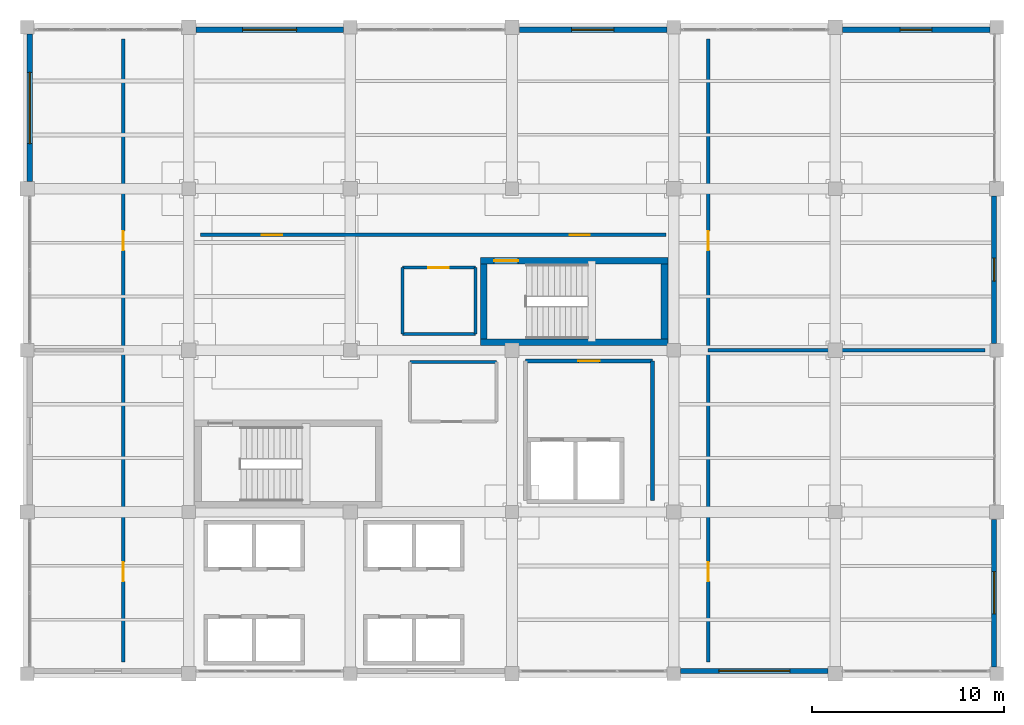
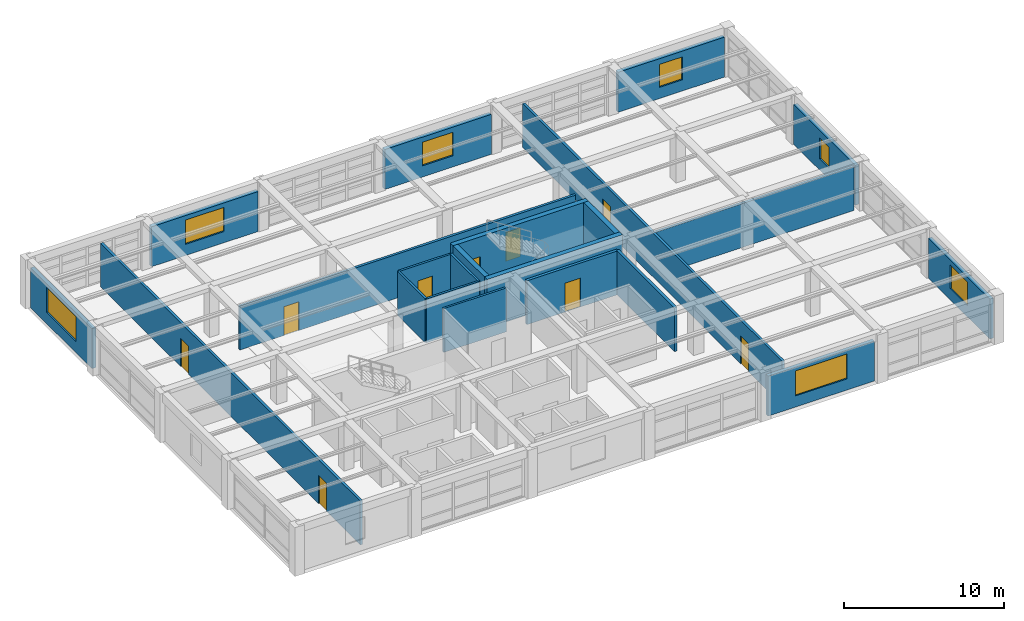
# One storey, part 29 of 31: 22 walls, 9 doors, 7 windows, 16 openings.
"""IFC4 building model written with IfcOpenShell, lengths in metres."""

from ifc_helpers import new_model, si_unit, direction, frame, frame_2d, origin, place, context, subcontext, project, spatial, rectangle, extrude, material, layer, layer_set, type_object, element, fill, save


model = new_model("IFC4")

# Units and contexts
model_context = context("Model", 3, precision=1e-05, world=origin(), true_north=direction((0.0, 1.0)))
body_context = subcontext(model_context, "Body", "Model", "MODEL_VIEW")
ifc_project = project(units=[si_unit("LENGTHUNIT", "METRE"), si_unit("AREAUNIT", "SQUARE_METRE"), si_unit("VOLUMEUNIT", "CUBIC_METRE"), si_unit("PLANEANGLEUNIT", "RADIAN"), si_unit("MASSUNIT", "GRAM", prefix="KILO")], contexts=[model_context])

# Site, building, storey
site_placement = place(None, origin())
site = spatial("IfcSite", under=ifc_project, at=site_placement, CompositionType="ELEMENT")
building_placement = place(site_placement, origin())
building = spatial("IfcBuilding", under=site, at=building_placement, Name="Almacenes y Pasaje Nevantli", CompositionType="ELEMENT")
storey_placement = place(building_placement, frame((0.0, 0.0, 34.699951171875)))
storey = spatial("IfcBuildingStorey", under=building, at=storey_placement, Name="L08", CompositionType="ELEMENT", Elevation=34.699951171875)

# Wall, openings, doors
ifc_material_1 = material(Name="Insulated Double-Gypsum Fire Partition", Category="gypsum")
ifc_layer_1 = layer(ifc_material_1, 0.179931640625)
ifc_layer_set_1 = layer_set([ifc_layer_1], Name="Insulated Double-Gypsum Fire Partition")
wall_type_1 = type_object("IfcWallType", Name="WL-COMP-180", PredefinedType="PARTITIONING", material=ifc_layer_set_1)
wall_1_placement = place(storey_placement, frame((114.199951171875, 67.800048828125, 0.0), z_axis=(0.0, 0.0, 1.0), x_axis=(0.0, 1.0, 0.0)))
wall_1 = element("IfcWall", 1, at=wall_1_placement, inside=storey, type_object=wall_type_1, Name="L08 Interior Partition Wall IW-180 #154", PredefinedType="PARTITIONING", context=body_context, shape_type="SweptSolid", body=[
    extrude(rectangle(XDim=32.39990234375, YDim=0.179931640625, at=frame_2d((16.199951171875, 0.0))), origin(), (0.0, 0.0, 1.0), 3.340087890625),
])
opening_1_placement = place(wall_1_placement, frame((4.199951171875, 0.0, 0.0)))
opening_1 = element("IfcOpeningElement", 2, at=opening_1_placement, cuts=wall_1, Name="Opening ID-L08-082", PredefinedType="OPENING", context=body_context, shape_type="SweptSolid", body=[
    extrude(rectangle(XDim=1.0, YDim=2.14990234375, at=frame_2d((0.5, 1.074951171875))), frame((0.0, 0.099853515625, 0.0), z_axis=(0.0, -1.0, 0.0), x_axis=(1.0, 0.0, 0.0)), (0.0, 0.0, 1.0), 0.199951171875),
])
opening_2_placement = place(wall_1_placement, frame((21.39990234375, 0.0, 0.0)))
opening_2 = element("IfcOpeningElement", 3, at=opening_2_placement, cuts=wall_1, Name="Opening ID-L08-083", PredefinedType="OPENING", context=body_context, shape_type="SweptSolid", body=[
    extrude(rectangle(XDim=1.0, YDim=2.14990234375, at=frame_2d((0.5, 1.074951171875))), frame((0.0, 0.099853515625, 0.0), z_axis=(0.0, -1.0, 0.0), x_axis=(1.0, 0.0, 0.0)), (0.0, 0.0, 1.0), 0.199951171875),
])
ifc_material_2 = material(Name="Fire-Rated Mineral-Core Steel", Category="steel")
door_type_1 = type_object("IfcDoorType", Name="DR-FD60-1000", OperationType="SINGLE_SWING_LEFT", PredefinedType="DOOR", material=ifc_material_2)
door_1_placement = place(opening_1_placement, origin())
door_1 = element("IfcDoor", 4, at=door_1_placement, inside=storey, type_object=door_type_1, Name="L08 L08 SW Suite Door", OperationType="SINGLE_SWING_LEFT", OverallHeight=2.14990234375, OverallWidth=1.0, PredefinedType="DOOR", context=body_context, shape_type="SweptSolid", body=[
    extrude(rectangle(XDim=1.0, YDim=2.14990234375, at=frame_2d((0.5, 1.074951171875))), frame((0.0, 0.02490234375, 0.0), z_axis=(0.0, -1.0, 0.0), x_axis=(1.0, 0.0, 0.0)), (0.0, 0.0, 1.0), 0.050048828125),
])
fill(opening_1, door_1)
ifc_material_3 = material(Name="Fire-Rated Mineral-Core Steel", Category="steel")
door_type_2 = type_object("IfcDoorType", Name="DR-FD60-1000R", OperationType="SINGLE_SWING_RIGHT", PredefinedType="DOOR", material=ifc_material_3)
door_2_placement = place(opening_2_placement, origin())
door_2 = element("IfcDoor", 5, at=door_2_placement, inside=storey, type_object=door_type_2, Name="L08 L08 NW Suite Door", OperationType="SINGLE_SWING_RIGHT", OverallHeight=2.14990234375, OverallWidth=1.0, PredefinedType="DOOR", context=body_context, shape_type="SweptSolid", body=[
    extrude(rectangle(XDim=1.0, YDim=2.14990234375, at=frame_2d((0.5, 1.074951171875))), frame((0.0, 0.02490234375, 0.0), z_axis=(0.0, -1.0, 0.0), x_axis=(1.0, 0.0, 0.0)), (0.0, 0.0, 1.0), 0.050048828125),
])
fill(opening_2, door_2)

wall_2_placement = place(storey_placement, frame((118.199951171875, 90.0, 0.0), z_axis=(0.0, 0.0, 1.0), x_axis=(1.0, 0.0, 0.0)))
wall_2 = element("IfcWall", 6, at=wall_2_placement, inside=storey, type_object=wall_type_1, Name="L08 Interior Partition Wall IW-180 #156", PredefinedType="PARTITIONING", context=body_context, shape_type="SweptSolid", body=[
    extrude(rectangle(XDim=24.199951171875, YDim=0.179931640625, at=frame_2d((12.10009765625, 0.0))), origin(), (0.0, 0.0, 1.0), 3.340087890625),
])
opening_3_placement = place(wall_2_placement, frame((3.199951171875, 0.0, 0.0)))
opening_3 = element("IfcOpeningElement", 7, at=opening_3_placement, cuts=wall_2, Name="Opening ID-L08-084", PredefinedType="OPENING", context=body_context, shape_type="SweptSolid", body=[
    extrude(rectangle(XDim=1.050048828125, YDim=2.199951171875, at=frame_2d((0.52490234375, 1.10009765625))), frame((0.0, 0.099853515625, 0.0), z_axis=(0.0, -1.0, 0.0), x_axis=(1.0, 0.0, 0.0)), (0.0, 0.0, 1.0), 0.199951171875),
])
opening_4_placement = place(wall_2_placement, frame((19.199951171875, 0.0, 0.0)))
opening_4 = element("IfcOpeningElement", 8, at=opening_4_placement, cuts=wall_2, Name="Opening ID-L08-085", PredefinedType="OPENING", context=body_context, shape_type="SweptSolid", body=[
    extrude(rectangle(XDim=1.050048828125, YDim=2.199951171875, at=frame_2d((0.52490234375, 1.10009765625))), frame((0.0, 0.099853515625, 0.0), z_axis=(0.0, -1.0, 0.0), x_axis=(1.0, 0.0, 0.0)), (0.0, 0.0, 1.0), 0.199951171875),
])
ifc_material_4 = material(Name="Fire-Rated Mineral-Core Steel", Category="steel")
door_type_3 = type_object("IfcDoorType", Name="DR-FD60-1050", OperationType="SINGLE_SWING_LEFT", PredefinedType="DOOR", material=ifc_material_4)
door_3_placement = place(opening_3_placement, origin())
door_3 = element("IfcDoor", 9, at=door_3_placement, inside=storey, type_object=door_type_3, Name="L08 L08 North Suite Door 1", OperationType="SINGLE_SWING_LEFT", OverallHeight=2.199951171875, OverallWidth=1.050048828125, PredefinedType="DOOR", context=body_context, shape_type="SweptSolid", body=[
    extrude(rectangle(XDim=1.050048828125, YDim=2.199951171875, at=frame_2d((0.52490234375, 1.10009765625))), frame((0.0, 0.02490234375, 0.0), z_axis=(0.0, -1.0, 0.0), x_axis=(1.0, 0.0, 0.0)), (0.0, 0.0, 1.0), 0.050048828125),
])
fill(opening_3, door_3)
ifc_material_5 = material(Name="Fire-Rated Mineral-Core Steel", Category="steel")
door_type_4 = type_object("IfcDoorType", Name="DR-FD60-1050R", OperationType="SINGLE_SWING_RIGHT", PredefinedType="DOOR", material=ifc_material_5)
door_4_placement = place(opening_4_placement, origin())
door_4 = element("IfcDoor", 10, at=door_4_placement, inside=storey, type_object=door_type_4, Name="L08 L08 North Suite Door 2", OperationType="SINGLE_SWING_RIGHT", OverallHeight=2.199951171875, OverallWidth=1.050048828125, PredefinedType="DOOR", context=body_context, shape_type="SweptSolid", body=[
    extrude(rectangle(XDim=1.050048828125, YDim=2.199951171875, at=frame_2d((0.52490234375, 1.10009765625))), frame((0.0, 0.02490234375, 0.0), z_axis=(0.0, -1.0, 0.0), x_axis=(1.0, 0.0, 0.0)), (0.0, 0.0, 1.0), 0.050048828125),
])
fill(opening_4, door_4)

wall_3_placement = place(storey_placement, frame((144.60009765625, 67.800048828125, 0.0), z_axis=(0.0, 0.0, 1.0), x_axis=(0.0, 1.0, 0.0)))
wall_3 = element("IfcWall", 11, at=wall_3_placement, inside=storey, type_object=wall_type_1, Name="L08 Interior Partition Wall IW-180 #157", PredefinedType="PARTITIONING", context=body_context, shape_type="SweptSolid", body=[
    extrude(rectangle(XDim=32.39990234375, YDim=0.179931640625, at=frame_2d((16.199951171875, 0.0))), origin(), (0.0, 0.0, 1.0), 3.340087890625),
])
opening_5_placement = place(wall_3_placement, frame((4.199951171875, 0.0, 0.0)))
opening_5 = element("IfcOpeningElement", 12, at=opening_5_placement, cuts=wall_3, Name="Opening ID-L08-086", PredefinedType="OPENING", context=body_context, shape_type="SweptSolid", body=[
    extrude(rectangle(XDim=1.0, YDim=2.14990234375, at=frame_2d((0.5, 1.074951171875))), frame((0.0, 0.099853515625, 0.0), z_axis=(0.0, -1.0, 0.0), x_axis=(1.0, 0.0, 0.0)), (0.0, 0.0, 1.0), 0.199951171875),
])
opening_6_placement = place(wall_3_placement, frame((21.39990234375, 0.0, 0.0)))
opening_6 = element("IfcOpeningElement", 13, at=opening_6_placement, cuts=wall_3, Name="Opening ID-L08-087", PredefinedType="OPENING", context=body_context, shape_type="SweptSolid", body=[
    extrude(rectangle(XDim=1.0, YDim=2.14990234375, at=frame_2d((0.5, 1.074951171875))), frame((0.0, 0.099853515625, 0.0), z_axis=(0.0, -1.0, 0.0), x_axis=(1.0, 0.0, 0.0)), (0.0, 0.0, 1.0), 0.199951171875),
])
door_5_placement = place(opening_5_placement, origin())
door_5 = element("IfcDoor", 14, at=door_5_placement, inside=storey, type_object=door_type_1, Name="L08 L08 SE Suite Door", OperationType="SINGLE_SWING_LEFT", OverallHeight=2.14990234375, OverallWidth=1.0, PredefinedType="DOOR", context=body_context, shape_type="SweptSolid", body=[
    extrude(rectangle(XDim=1.0, YDim=2.14990234375, at=frame_2d((0.5, 1.074951171875))), frame((0.0, 0.02490234375, 0.0), z_axis=(0.0, -1.0, 0.0), x_axis=(1.0, 0.0, 0.0)), (0.0, 0.0, 1.0), 0.050048828125),
])
fill(opening_5, door_5)
door_6_placement = place(opening_6_placement, origin())
door_6 = element("IfcDoor", 15, at=door_6_placement, inside=storey, type_object=door_type_2, Name="L08 L08 NE Suite Door", OperationType="SINGLE_SWING_RIGHT", OverallHeight=2.14990234375, OverallWidth=1.0, PredefinedType="DOOR", context=body_context, shape_type="SweptSolid", body=[
    extrude(rectangle(XDim=1.0, YDim=2.14990234375, at=frame_2d((0.5, 1.074951171875))), frame((0.0, 0.02490234375, 0.0), z_axis=(0.0, -1.0, 0.0), x_axis=(1.0, 0.0, 0.0)), (0.0, 0.0, 1.0), 0.050048828125),
])
fill(opening_6, door_6)

# Wall
wall_4_placement = place(storey_placement, frame((144.60009765625, 84.0, 0.0), z_axis=(0.0, 0.0, 1.0), x_axis=(1.0, 0.0, 0.0)))
element("IfcWall", 16, at=wall_4_placement, inside=storey, type_object=wall_type_1, Name="L08 Interior Partition Wall IW-180 #158", PredefinedType="PARTITIONING", context=body_context, shape_type="SweptSolid", body=[
    extrude(rectangle(XDim=14.39990234375, YDim=0.179931640625, at=frame_2d((7.199951171875, 0.0))), origin(), (0.0, 0.0, 1.0), 3.340087890625),
])

# Wall, opening, door
ifc_material_6 = material(Name="Fire-Rated Concrete Blockwork", Category="masonry")
ifc_layer_2 = layer(ifc_material_6, 0.199951171875)
ifc_layer_set_2 = layer_set([ifc_layer_2], Name="Fire-Rated Concrete Blockwork")
wall_type_2 = type_object("IfcWallType", Name="WL-COMP-200", PredefinedType="PARTITIONING", material=ifc_layer_set_2)
wall_5_placement = place(storey_placement, frame((135.10009765625, 83.449951171875, 0.0), z_axis=(0.0, 0.0, 1.0), x_axis=(1.0, 0.0, 0.0)))
wall_5 = element("IfcWall", 17, at=wall_5_placement, inside=storey, type_object=wall_type_2, Name="L08 Interior Partition Wall IW-200 #143", PredefinedType="PARTITIONING", context=body_context, shape_type="SweptSolid", body=[
    extrude(rectangle(XDim=6.599853515625, YDim=0.199951171875, at=frame_2d((3.2998046875, 0.0))), origin(), (0.0, 0.0, 1.0), 3.340087890625),
])
opening_7_placement = place(wall_5_placement, frame((2.75, 0.0, 0.0)))
opening_7 = element("IfcOpeningElement", 18, at=opening_7_placement, cuts=wall_5, Name="Opening ID-L08-079", PredefinedType="OPENING", context=body_context, shape_type="SweptSolid", body=[
    extrude(rectangle(XDim=1.10009765625, YDim=2.199951171875, at=frame_2d((0.550048828125, 1.10009765625))), frame((0.0, 0.10986328125, 0.0), z_axis=(0.0, -1.0, 0.0), x_axis=(1.0, 0.0, 0.0)), (0.0, 0.0, 1.0), 0.219970703125),
])
ifc_material_7 = material(Name="Galvanized Fire-Rated Steel", Category="steel")
door_type_5 = type_object("IfcDoorType", Name="DR-FD90-1100R", OperationType="SINGLE_SWING_RIGHT", PredefinedType="DOOR", material=ifc_material_7)
door_7_placement = place(opening_7_placement, origin())
door_7 = element("IfcDoor", 19, at=door_7_placement, inside=storey, type_object=door_type_5, Name="L08 Firefighting Lobby Door", OperationType="SINGLE_SWING_RIGHT", OverallHeight=2.199951171875, OverallWidth=1.10009765625, PredefinedType="DOOR", context=body_context, shape_type="SweptSolid", body=[
    extrude(rectangle(XDim=1.10009765625, YDim=2.199951171875, at=frame_2d((0.550048828125, 1.10009765625))), frame((0.0, 0.02490234375, 0.0), z_axis=(0.0, -1.0, 0.0), x_axis=(1.0, 0.0, 0.0)), (0.0, 0.0, 1.0), 0.050048828125),
])
fill(opening_7, door_7)

# Walls
wall_6_placement = place(storey_placement, frame((141.699951171875, 76.199951171875, 0.0), z_axis=(0.0, 0.0, 1.0), x_axis=(0.0, 1.0, 0.0)))
element("IfcWall", 20, at=wall_6_placement, inside=storey, type_object=wall_type_2, Name="L08 Interior Partition Wall IW-200 #145", PredefinedType="PARTITIONING", context=body_context, shape_type="SweptSolid", body=[
    extrude(rectangle(XDim=7.25, YDim=0.199951171875, at=frame_2d((3.625, 0.0))), origin(), (0.0, 0.0, 1.0), 3.340087890625),
])
ifc_material_8 = material(Name="Concrete C45/55", Category="concrete")
ifc_layer_3 = layer(ifc_material_8, 0.35009765625)
ifc_layer_set_3 = layer_set([ifc_layer_3], Name="Concrete C45/55")
wall_type_3 = type_object("IfcWallType", Name="WL-CORE-350", PredefinedType="SHEAR", material=ifc_layer_set_3)
wall_7_placement = place(storey_placement, frame((132.75, 84.425048828125, 0.0), z_axis=(0.0, 0.0, 1.0), x_axis=(1.0, 0.0, 0.0)))
element("IfcWall", 21, at=wall_7_placement, inside=storey, type_object=wall_type_3, Name="L08 Exit Stair ST-02 South Core Shear Wall", PredefinedType="SHEAR", context=body_context, shape_type="SweptSolid", body=[
    extrude(rectangle(XDim=9.75, YDim=0.35009765625, at=frame_2d((4.875, 0.0))), origin(), (0.0, 0.0, 1.0), 3.719970703125),
])

# Wall, opening, door
wall_8_placement = place(storey_placement, frame((132.75, 88.6650390625, 0.0), z_axis=(0.0, 0.0, 1.0), x_axis=(1.0, 0.0, 0.0)))
wall_8 = element("IfcWall", 22, at=wall_8_placement, inside=storey, type_object=wall_type_3, Name="L08 Exit Stair ST-02 North Core Shear Wall", PredefinedType="SHEAR", context=body_context, shape_type="SweptSolid", body=[
    extrude(rectangle(XDim=9.75, YDim=0.35009765625, at=frame_2d((4.875, 0.0))), origin(), (0.0, 0.0, 1.0), 3.719970703125),
])
opening_8_placement = place(wall_8_placement, frame((0.719970703125, 0.0, 0.0)))
opening_8 = element("IfcOpeningElement", 23, at=opening_8_placement, cuts=wall_8, Name="Opening SD-02-L08", PredefinedType="OPENING", context=body_context, shape_type="SweptSolid", body=[
    extrude(rectangle(XDim=1.25, YDim=2.199951171875, at=frame_2d((0.625, 1.10009765625))), frame((0.0, 0.18505859375, 0.0), z_axis=(0.0, -1.0, 0.0), x_axis=(1.0, 0.0, 0.0)), (0.0, 0.0, 1.0), 0.3701171875),
])
ifc_material_9 = material(Name="Galvanized Fire-Rated Steel", Category="steel")
door_type_6 = type_object("IfcDoorType", Name="DR-STAIR-1250R", OperationType="SINGLE_SWING_RIGHT", PredefinedType="DOOR", material=ifc_material_9)
door_8_placement = place(opening_8_placement, origin())
door_8 = element("IfcDoor", 24, at=door_8_placement, inside=storey, type_object=door_type_6, Name="L08 Smokeproof Exit Stair ST-02 Fire Door", OperationType="SINGLE_SWING_RIGHT", OverallHeight=2.199951171875, OverallWidth=1.25, PredefinedType="DOOR", context=body_context, shape_type="SweptSolid", body=[
    extrude(rectangle(XDim=1.25, YDim=2.199951171875, at=frame_2d((0.625, 1.10009765625))), frame((0.0, 0.02490234375, 0.0), z_axis=(0.0, -1.0, 0.0), x_axis=(1.0, 0.0, 0.0)), (0.0, 0.0, 1.0), 0.050048828125),
])
fill(opening_8, door_8)

# Walls
for number, where, z_axis, x_axis, name in (
    (25, (132.925048828125, 84.60009765625, 0.0), (0.0, 0.0, 1.0), (0.0, 1.0, 0.0), "L08 Exit Stair ST-02 West Core Shear Wall"),
    (26, (142.324951171875, 84.60009765625, 0.0), (0.0, 0.0, 1.0), (0.0, 1.0, 0.0), "L08 Exit Stair ST-02 East Core Shear Wall"),
):
    element("IfcWall", number, at=place(storey_placement, frame(where, z_axis=z_axis, x_axis=x_axis)), inside=storey, type_object=wall_type_3, Name=name, PredefinedType="SHEAR", context=body_context, shape_type="SweptSolid", body=[
        extrude(rectangle(XDim=3.889892578125, YDim=0.35009765625, at=frame_2d((1.94482421875, 0.0))), origin(), (0.0, 0.0, 1.0), 3.719970703125),
    ])

# Wall, opening, window
ifc_material_10 = material(Name="Architectural Precast Concrete C35/45 Spandrel Wall", Category="concrete")
ifc_layer_4 = layer(ifc_material_10, 0.280029296875)
ifc_layer_set_4 = layer_set([ifc_layer_4], Name="Architectural Precast Concrete C35/45 Spandrel Wall")
wall_type_4 = type_object("IfcWallType", Name="WL-EXT-CANTERA-280", PredefinedType="SOLIDWALL", material=ifc_layer_set_4)
wall_9_placement = place(storey_placement, frame((117.97802734375, 100.659912109375, 0.0), z_axis=(0.0, 0.0, 1.0), x_axis=(1.0, 0.0, 0.0)))
wall_9 = element("IfcWall", 27, at=wall_9_placement, inside=storey, type_object=wall_type_4, Name="L08 Tower North Polychrome Cantera Wall Bay 15", PredefinedType="SOLIDWALL", context=body_context, shape_type="SweptSolid", body=[
    extrude(rectangle(XDim=7.669921875, YDim=0.280029296875, at=frame_2d((3.8349609375, 0.0))), origin(), (0.0, 0.0, 1.0), 3.0400390625),
])
opening_9_placement = place(wall_9_placement, frame((2.422119140625, 0.0, 0.85009765625)))
opening_9 = element("IfcOpeningElement", 28, at=opening_9_placement, cuts=wall_9, Name="Opening WT-29-213", PredefinedType="OPENING", context=body_context, shape_type="SweptSolid", body=[
    extrude(rectangle(XDim=2.800048828125, YDim=1.85009765625, at=frame_2d((1.39990234375, 0.925048828125))), frame((0.0, 0.14990234375, 0.0), z_axis=(0.0, -1.0, 0.0), x_axis=(1.0, 0.0, 0.0)), (0.0, 0.0, 1.0), 0.300048828125),
])
ifc_material_11 = material(Name="Thermally Broken Aluminium and Low-E Double Glazing", Category="aluminium")
window_type_1 = type_object("IfcWindowType", Name="WN-TWR-2800x1850", PartitioningType="SINGLE_PANEL", PredefinedType="WINDOW", material=ifc_material_11)
window_1_placement = place(opening_9_placement, origin())
window_1 = element("IfcWindow", 29, at=window_1_placement, inside=storey, type_object=window_type_1, Name="L08 Exterior Window WT-29 #213", OverallHeight=1.85009765625, OverallWidth=2.800048828125, PartitioningType="SINGLE_PANEL", PredefinedType="WINDOW", context=body_context, shape_type="SweptSolid", body=[
    extrude(rectangle(XDim=2.800048828125, YDim=1.85009765625, at=frame_2d((1.39990234375, 0.925048828125))), frame((0.0, 0.030029296875, 0.0), z_axis=(0.0, -1.0, 0.0), x_axis=(1.0, 0.0, 0.0)), (0.0, 0.0, 1.0), 0.06005859375),
])
fill(opening_9, window_1)

wall_10_placement = place(storey_placement, frame((134.778076171875, 100.659912109375, 0.0), z_axis=(0.0, 0.0, 1.0), x_axis=(1.0, 0.0, 0.0)))
wall_10 = element("IfcWall", 30, at=wall_10_placement, inside=storey, type_object=wall_type_4, Name="L08 Tower North Polychrome Cantera Wall Bay 17", PredefinedType="SOLIDWALL", context=body_context, shape_type="SweptSolid", body=[
    extrude(rectangle(XDim=7.66796875, YDim=0.280029296875, at=frame_2d((3.833984375, 0.0))), origin(), (0.0, 0.0, 1.0), 3.0400390625),
])
opening_10_placement = place(wall_10_placement, frame((2.721923828125, 0.0, 0.85009765625)))
opening_10 = element("IfcOpeningElement", 31, at=opening_10_placement, cuts=wall_10, Name="Opening WT-31-215", PredefinedType="OPENING", context=body_context, shape_type="SweptSolid", body=[
    extrude(rectangle(XDim=2.199951171875, YDim=1.800048828125, at=frame_2d((1.10009765625, 0.89990234375))), frame((0.0, 0.14990234375, 0.0), z_axis=(0.0, -1.0, 0.0), x_axis=(1.0, 0.0, 0.0)), (0.0, 0.0, 1.0), 0.300048828125),
])
ifc_material_12 = material(Name="Thermally Broken Aluminium and Low-E Double Glazing", Category="aluminium")
window_type_2 = type_object("IfcWindowType", Name="WN-TWR-2200x1800", PartitioningType="SINGLE_PANEL", PredefinedType="WINDOW", material=ifc_material_12)
window_2_placement = place(opening_10_placement, origin())
window_2 = element("IfcWindow", 32, at=window_2_placement, inside=storey, type_object=window_type_2, Name="L08 Exterior Window WT-31 #215", OverallHeight=1.800048828125, OverallWidth=2.199951171875, PartitioningType="SINGLE_PANEL", PredefinedType="WINDOW", context=body_context, shape_type="SweptSolid", body=[
    extrude(rectangle(XDim=2.199951171875, YDim=1.800048828125, at=frame_2d((1.10009765625, 0.89990234375))), frame((0.0, 0.030029296875, 0.0), z_axis=(0.0, -1.0, 0.0), x_axis=(1.0, 0.0, 0.0)), (0.0, 0.0, 1.0), 0.06005859375),
])
fill(opening_10, window_2)

wall_11_placement = place(storey_placement, frame((151.577880859375, 100.659912109375, 0.0), z_axis=(0.0, 0.0, 1.0), x_axis=(1.0, 0.0, 0.0)))
wall_11 = element("IfcWall", 33, at=wall_11_placement, inside=storey, type_object=wall_type_4, Name="L08 Tower North Polychrome Cantera Wall Bay 19", PredefinedType="SOLIDWALL", context=body_context, shape_type="SweptSolid", body=[
    extrude(rectangle(XDim=7.668212890625, YDim=0.280029296875, at=frame_2d((3.833984375, 0.0))), origin(), (0.0, 0.0, 1.0), 3.0400390625),
])
opening_11_placement = place(wall_11_placement, frame((2.9970703125, 0.0, 0.85009765625)))
opening_11 = element("IfcOpeningElement", 34, at=opening_11_placement, cuts=wall_11, Name="Opening WT-33-217", PredefinedType="OPENING", context=body_context, shape_type="SweptSolid", body=[
    extrude(rectangle(XDim=1.64990234375, YDim=1.75, at=frame_2d((0.824951171875, 0.875))), frame((0.0, 0.14990234375, 0.0), z_axis=(0.0, -1.0, 0.0), x_axis=(1.0, 0.0, 0.0)), (0.0, 0.0, 1.0), 0.300048828125),
])
ifc_material_13 = material(Name="Thermally Broken Aluminium and Low-E Double Glazing", Category="aluminium")
window_type_3 = type_object("IfcWindowType", Name="WN-TWR-1650x1750", PartitioningType="SINGLE_PANEL", PredefinedType="WINDOW", material=ifc_material_13)
window_3_placement = place(opening_11_placement, origin())
window_3 = element("IfcWindow", 35, at=window_3_placement, inside=storey, type_object=window_type_3, Name="L08 Exterior Window WT-33 #217", OverallHeight=1.75, OverallWidth=1.64990234375, PartitioningType="SINGLE_PANEL", PredefinedType="WINDOW", context=body_context, shape_type="SweptSolid", body=[
    extrude(rectangle(XDim=1.64990234375, YDim=1.75, at=frame_2d((0.824951171875, 0.875))), frame((0.0, 0.030029296875, 0.0), z_axis=(0.0, -1.0, 0.0), x_axis=(1.0, 0.0, 0.0)), (0.0, 0.0, 1.0), 0.06005859375),
])
fill(opening_11, window_3)

wall_12_placement = place(storey_placement, frame((109.340087890625, 92.778076171875, 0.0), z_axis=(0.0, 0.0, 1.0), x_axis=(0.0, 1.0, 0.0)))
wall_12 = element("IfcWall", 36, at=wall_12_placement, inside=storey, type_object=wall_type_4, Name="L08 Tower West Cantera Wall Bay 12", PredefinedType="SOLIDWALL", context=body_context, shape_type="SweptSolid", body=[
    extrude(rectangle(XDim=7.66796875, YDim=0.280029296875, at=frame_2d((3.833984375, 0.0))), origin(), (0.0, 0.0, 1.0), 3.0400390625),
])
opening_12_placement = place(wall_12_placement, frame((1.971923828125, 0.0, 0.85009765625)))
opening_12 = element("IfcOpeningElement", 37, at=opening_12_placement, cuts=wall_12, Name="Opening WT-26-221", PredefinedType="OPENING", context=body_context, shape_type="SweptSolid", body=[
    extrude(rectangle(XDim=3.699951171875, YDim=1.89990234375, at=frame_2d((1.85009765625, 0.949951171875))), frame((0.0, 0.14990234375, 0.0), z_axis=(0.0, -1.0, 0.0), x_axis=(1.0, 0.0, 0.0)), (0.0, 0.0, 1.0), 0.300048828125),
])
ifc_material_14 = material(Name="Thermally Broken Aluminium and Low-E Double Glazing", Category="aluminium")
window_type_4 = type_object("IfcWindowType", Name="WN-TWR-3700x1900", PartitioningType="SINGLE_PANEL", PredefinedType="WINDOW", material=ifc_material_14)
window_4_placement = place(opening_12_placement, origin())
window_4 = element("IfcWindow", 38, at=window_4_placement, inside=storey, type_object=window_type_4, Name="L08 Exterior Window WT-26 #221", OverallHeight=1.89990234375, OverallWidth=3.699951171875, PartitioningType="SINGLE_PANEL", PredefinedType="WINDOW", context=body_context, shape_type="SweptSolid", body=[
    extrude(rectangle(XDim=3.699951171875, YDim=1.89990234375, at=frame_2d((1.85009765625, 0.949951171875))), frame((0.0, 0.030029296875, 0.0), z_axis=(0.0, -1.0, 0.0), x_axis=(1.0, 0.0, 0.0)), (0.0, 0.0, 1.0), 0.06005859375),
])
fill(opening_12, window_4)

ifc_material_15 = material(Name="Cream Architectural Precast Concrete C35/45 Wall", Category="concrete")
ifc_layer_5 = layer(ifc_material_15, 0.260009765625)
ifc_layer_set_5 = layer_set([ifc_layer_5], Name="Cream Architectural Precast Concrete C35/45 Wall")
wall_type_5 = type_object("IfcWallType", Name="WL-EXT-PRECAST-260", PredefinedType="SOLIDWALL", material=ifc_layer_set_5)
wall_13_placement = place(storey_placement, frame((143.154052734375, 67.340087890625, 0.0), z_axis=(0.0, 0.0, 1.0), x_axis=(1.0, 0.0, 0.0)))
wall_13 = element("IfcWall", 39, at=wall_13_placement, inside=storey, type_object=wall_type_5, Name="L08 Tower South Precast Spandrel Wall Bay 18", PredefinedType="SOLIDWALL", context=body_context, shape_type="SweptSolid", body=[
    extrude(rectangle(XDim=7.66796875, YDim=0.260009765625, at=frame_2d((3.833984375, 0.0))), origin(), (0.0, 0.0, 1.0), 3.0400390625),
])
opening_13_placement = place(wall_13_placement, frame((1.99609375, 0.0, 0.85009765625)))
opening_13 = element("IfcOpeningElement", 40, at=opening_13_placement, cuts=wall_13, Name="Opening WT-26-216", PredefinedType="OPENING", context=body_context, shape_type="SweptSolid", body=[
    extrude(rectangle(XDim=3.699951171875, YDim=1.89990234375, at=frame_2d((1.85009765625, 0.949951171875))), frame((0.0, 0.139892578125, 0.0), z_axis=(0.0, -1.0, 0.0), x_axis=(1.0, 0.0, 0.0)), (0.0, 0.0, 1.0), 0.280029296875),
])
window_5_placement = place(opening_13_placement, origin())
window_5 = element("IfcWindow", 41, at=window_5_placement, inside=storey, type_object=window_type_4, Name="L08 Exterior Window WT-26 #216", OverallHeight=1.89990234375, OverallWidth=3.699951171875, PartitioningType="SINGLE_PANEL", PredefinedType="WINDOW", context=body_context, shape_type="SweptSolid", body=[
    extrude(rectangle(XDim=3.699951171875, YDim=1.89990234375, at=frame_2d((1.85009765625, 0.949951171875))), frame((0.0, 0.030029296875, 0.0), z_axis=(0.0, -1.0, 0.0), x_axis=(1.0, 0.0, 0.0)), (0.0, 0.0, 1.0), 0.06005859375),
])
fill(opening_13, window_5)

wall_14_placement = place(storey_placement, frame((159.4599609375, 67.553955078125, 0.0), z_axis=(0.0, 0.0, 1.0), x_axis=(0.0, 1.0, 0.0)))
wall_14 = element("IfcWall", 42, at=wall_14_placement, inside=storey, type_object=wall_type_5, Name="L08 Tower East Precast Wall Bay 9", PredefinedType="SOLIDWALL", context=body_context, shape_type="SweptSolid", body=[
    extrude(rectangle(XDim=7.66796875, YDim=0.260009765625, at=frame_2d((3.833984375, 0.0))), origin(), (0.0, 0.0, 1.0), 3.0400390625),
])
opening_14_placement = place(wall_14_placement, frame((2.74609375, 0.0, 0.85009765625)))
opening_14 = element("IfcOpeningElement", 43, at=opening_14_placement, cuts=wall_14, Name="Opening WT-31-218", PredefinedType="OPENING", context=body_context, shape_type="SweptSolid", body=[
    extrude(rectangle(XDim=2.199951171875, YDim=1.800048828125, at=frame_2d((1.10009765625, 0.89990234375))), frame((0.0, 0.139892578125, 0.0), z_axis=(0.0, -1.0, 0.0), x_axis=(1.0, 0.0, 0.0)), (0.0, 0.0, 1.0), 0.280029296875),
])
window_6_placement = place(opening_14_placement, origin())
window_6 = element("IfcWindow", 44, at=window_6_placement, inside=storey, type_object=window_type_2, Name="L08 Exterior Window WT-31 #218", OverallHeight=1.800048828125, OverallWidth=2.199951171875, PartitioningType="SINGLE_PANEL", PredefinedType="WINDOW", context=body_context, shape_type="SweptSolid", body=[
    extrude(rectangle(XDim=2.199951171875, YDim=1.800048828125, at=frame_2d((1.10009765625, 0.89990234375))), frame((0.0, 0.030029296875, 0.0), z_axis=(0.0, -1.0, 0.0), x_axis=(1.0, 0.0, 0.0)), (0.0, 0.0, 1.0), 0.06005859375),
])
fill(opening_14, window_6)

wall_15_placement = place(storey_placement, frame((159.4599609375, 84.35205078125, 0.0), z_axis=(0.0, 0.0, 1.0), x_axis=(0.0, 1.0, 0.0)))
wall_15 = element("IfcWall", 45, at=wall_15_placement, inside=storey, type_object=wall_type_5, Name="L08 Tower East Precast Wall Bay 11", PredefinedType="SOLIDWALL", context=body_context, shape_type="SweptSolid", body=[
    extrude(rectangle(XDim=7.669921875, YDim=0.260009765625, at=frame_2d((3.8349609375, 0.0))), origin(), (0.0, 0.0, 1.0), 3.0400390625),
])
opening_15_placement = place(wall_15_placement, frame((3.248046875, 0.0, 0.85009765625)))
opening_15 = element("IfcOpeningElement", 46, at=opening_15_placement, cuts=wall_15, Name="Opening WT-35-220", PredefinedType="OPENING", context=body_context, shape_type="SweptSolid", body=[
    extrude(rectangle(XDim=1.199951171875, YDim=1.60009765625, at=frame_2d((0.60009765625, 0.800048828125))), frame((0.0, 0.139892578125, 0.0), z_axis=(0.0, -1.0, 0.0), x_axis=(1.0, 0.0, 0.0)), (0.0, 0.0, 1.0), 0.280029296875),
])
ifc_material_16 = material(Name="Thermally Broken Aluminium and Low-E Double Glazing", Category="aluminium")
window_type_5 = type_object("IfcWindowType", Name="WN-TWR-1200x1600", PartitioningType="SINGLE_PANEL", PredefinedType="WINDOW", material=ifc_material_16)
window_7_placement = place(opening_15_placement, origin())
window_7 = element("IfcWindow", 47, at=window_7_placement, inside=storey, type_object=window_type_5, Name="L08 Exterior Window WT-35 #220", OverallHeight=1.60009765625, OverallWidth=1.199951171875, PartitioningType="SINGLE_PANEL", PredefinedType="WINDOW", context=body_context, shape_type="SweptSolid", body=[
    extrude(rectangle(XDim=1.199951171875, YDim=1.60009765625, at=frame_2d((0.60009765625, 0.800048828125))), frame((0.0, 0.030029296875, 0.0), z_axis=(0.0, -1.0, 0.0), x_axis=(1.0, 0.0, 0.0)), (0.0, 0.0, 1.0), 0.06005859375),
])
fill(opening_15, window_7)

# Wall
ifc_material_17 = material(Name="Acoustic Steel-Stud Gypsum Partition", Category="steel")
ifc_layer_6 = layer(ifc_material_17, 0.14990234375)
ifc_layer_set_6 = layer_set([ifc_layer_6], Name="Acoustic Steel-Stud Gypsum Partition")
wall_type_6 = type_object("IfcWallType", Name="WL-PART-150", PredefinedType="PARTITIONING", material=ifc_layer_set_6)
wall_16_placement = place(storey_placement, frame((129.10009765625, 83.39990234375, 0.0), z_axis=(0.0, 0.0, 1.0), x_axis=(1.0, 0.0, 0.0)))
element("IfcWall", 48, at=wall_16_placement, inside=storey, type_object=wall_type_6, Name="L08 Interior Partition Wall IW-150 #147", PredefinedType="PARTITIONING", context=body_context, shape_type="SweptSolid", body=[
    extrude(rectangle(XDim=4.5, YDim=0.14990234375, at=frame_2d((2.25, 0.0))), origin(), (0.0, 0.0, 1.0), 3.340087890625),
])

# Wall, opening, door
wall_17_placement = place(storey_placement, frame((128.699951171875, 88.300048828125, 0.0), z_axis=(0.0, 0.0, 1.0), x_axis=(1.0, 0.0, 0.0)))
wall_17 = element("IfcWall", 49, at=wall_17_placement, inside=storey, type_object=wall_type_6, Name="L08 Interior Partition Wall IW-150 #150", PredefinedType="PARTITIONING", context=body_context, shape_type="SweptSolid", body=[
    extrude(rectangle(XDim=3.800048828125, YDim=0.14990234375, at=frame_2d((1.89990234375, 0.0))), origin(), (0.0, 0.0, 1.0), 3.340087890625),
])
opening_16_placement = place(wall_17_placement, frame((1.35009765625, 0.0, 0.0)))
opening_16 = element("IfcOpeningElement", 50, at=opening_16_placement, cuts=wall_17, Name="Opening ID-L08-081", PredefinedType="OPENING", context=body_context, shape_type="SweptSolid", body=[
    extrude(rectangle(XDim=1.050048828125, YDim=2.14990234375, at=frame_2d((0.52490234375, 1.074951171875))), frame((0.0, 0.0849609375, 0.0), z_axis=(0.0, -1.0, 0.0), x_axis=(1.0, 0.0, 0.0)), (0.0, 0.0, 1.0), 0.169921875),
])
ifc_material_18 = material(Name="Powder-Coated Hollow Metal", Category="steel")
door_type_7 = type_object("IfcDoorType", Name="DR-ACC-1050", OperationType="SINGLE_SWING_RIGHT", PredefinedType="DOOR", material=ifc_material_18)
door_9_placement = place(opening_16_placement, origin())
door_9 = element("IfcDoor", 51, at=door_9_placement, inside=storey, type_object=door_type_7, Name="L08 Accessible WC Door", OperationType="SINGLE_SWING_RIGHT", OverallHeight=2.14990234375, OverallWidth=1.050048828125, PredefinedType="DOOR", context=body_context, shape_type="SweptSolid", body=[
    extrude(rectangle(XDim=1.050048828125, YDim=2.14990234375, at=frame_2d((0.52490234375, 1.074951171875))), frame((0.0, 0.02490234375, 0.0), z_axis=(0.0, -1.0, 0.0), x_axis=(1.0, 0.0, 0.0)), (0.0, 0.0, 1.0), 0.050048828125),
])
fill(opening_16, door_9)

# Walls
wall_18_placement = place(storey_placement, frame((128.699951171875, 84.85009765625, 0.0), z_axis=(0.0, 0.0, 1.0), x_axis=(1.0, 0.0, 0.0)))
element("IfcWall", 52, at=wall_18_placement, inside=storey, type_object=wall_type_6, Name="L08 Interior Partition Wall IW-150 #151", PredefinedType="PARTITIONING", context=body_context, shape_type="SweptSolid", body=[
    extrude(rectangle(XDim=3.800048828125, YDim=0.14990234375, at=frame_2d((1.89990234375, 0.0))), origin(), (0.0, 0.0, 1.0), 3.340087890625),
])
for number, where, z_axis, x_axis, name in (
    (53, (128.699951171875, 84.85009765625, 0.0), (0.0, 0.0, 1.0), (0.0, 1.0, 0.0), "L08 Interior Partition Wall IW-150 #152"),
    (54, (132.5, 84.85009765625, 0.0), (0.0, 0.0, 1.0), (0.0, 1.0, 0.0), "L08 Interior Partition Wall IW-150 #153"),
):
    element("IfcWall", number, at=place(storey_placement, frame(where, z_axis=z_axis, x_axis=x_axis)), inside=storey, type_object=wall_type_6, Name=name, PredefinedType="PARTITIONING", context=body_context, shape_type="SweptSolid", body=[
        extrude(rectangle(XDim=3.449951171875, YDim=0.14990234375, at=frame_2d((1.72509765625, 0.0))), origin(), (0.0, 0.0, 1.0), 3.340087890625),
    ])

save(model, "model.ifc")
